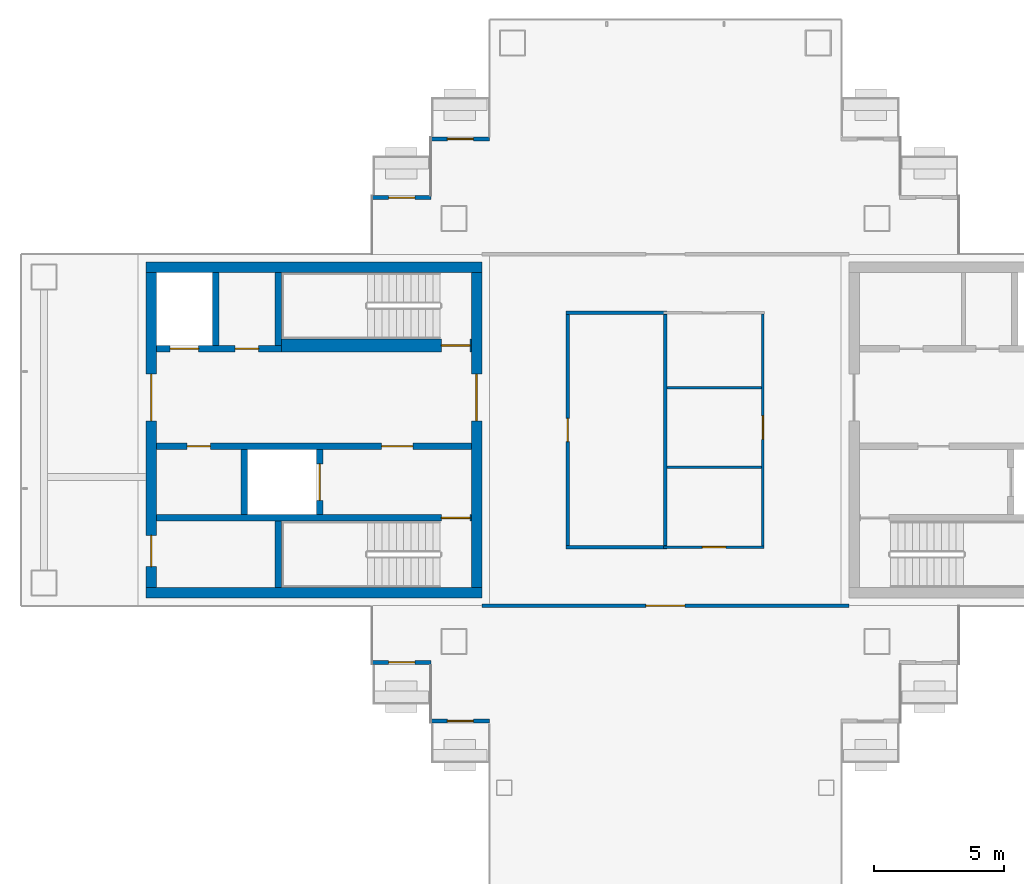
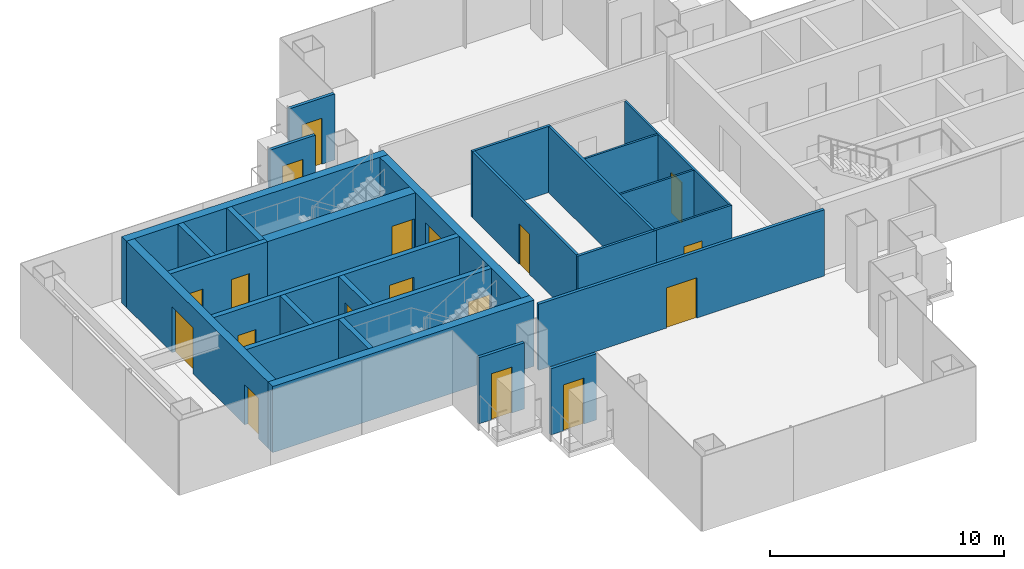
# One storey, part 9 of 17: 26 walls, 18 doors, 18 openings.
"""IFC4 building model written with IfcOpenShell, lengths in metres."""

from ifc_helpers import new_model, si_unit, direction, frame, frame_2d, origin, place, context, subcontext, project, spatial, rectangle, extrude, material, layer, layer_set, type_object, element, fill, save


model = new_model("IFC4")

# Units and contexts
model_context = context("Model", 3, precision=1e-05, world=origin(), true_north=direction((0.0, 1.0)))
body_context = subcontext(model_context, "Body", "Model", "MODEL_VIEW")
ifc_project = project(units=[si_unit("LENGTHUNIT", "METRE"), si_unit("AREAUNIT", "SQUARE_METRE"), si_unit("VOLUMEUNIT", "CUBIC_METRE"), si_unit("PLANEANGLEUNIT", "RADIAN"), si_unit("MASSUNIT", "GRAM", prefix="KILO")], contexts=[model_context])

# Site, building, storey
site_placement = place(None, origin())
site = spatial("IfcSite", under=ifc_project, at=site_placement, CompositionType="ELEMENT")
building_placement = place(site_placement, origin())
building = spatial("IfcBuilding", under=site, at=building_placement, Name="Shamsa Quay Exchange Towers", CompositionType="ELEMENT")
storey_placement = place(building_placement, frame((0.0, 0.0, 221.699951171875)))
storey = spatial("IfcBuildingStorey", under=building, at=storey_placement, Name="L53", CompositionType="ELEMENT", Elevation=221.699951171875)

# Wall, opening, door
ifc_material_1 = material(Name="Aluminium EN AW-6063 T6, black anodised, with black enamelled glass infill", Category="aluminium")
ifc_layer_1 = layer(ifc_material_1, 0.14990234375)
ifc_layer_set_1 = layer_set([ifc_layer_1], Name="BALCONY DOOR BAY WALL 150")
wall_type_1 = type_object("IfcWallType", Name="BALCONY DOOR BAY WALL 150", PredefinedType="SOLIDWALL", material=ifc_layer_set_1)
wall_1_placement = place(storey_placement, frame((-42.75, 11.175048828125, 0.0)))
wall_1 = element("IfcWall", 1, at=wall_1_placement, inside=storey, type_object=wall_type_1, Name="Door bay T1-PKWN L53", PredefinedType="SOLIDWALL", context=body_context, shape_type="SweptSolid", body=[
    extrude(rectangle(XDim=2.25, YDim=0.14990234375, at=frame_2d((1.125, 0.0))), origin(), (0.0, 0.0, 1.0), 3.449951171875),
])
opening_1_placement = place(wall_1_placement, frame((0.625, 0.0, 0.0)))
opening_1 = element("IfcOpeningElement", 2, at=opening_1_placement, cuts=wall_1, Name="Opening XD357", PredefinedType="OPENING", context=body_context, shape_type="SweptSolid", body=[
    extrude(rectangle(XDim=1.0, YDim=2.39990234375, at=frame_2d((0.5, 1.199951171875))), frame((0.0, 0.0849609375, 0.0), z_axis=(0.0, -1.0, 0.0), x_axis=(1.0, 0.0, 0.0)), (0.0, 0.0, 1.0), 0.169921875),
])
ifc_material_2 = material(Name="Aluminium EN AW-6063 T6, black anodised, with laminated glass leaf", Category="aluminium")
door_type_1 = type_object("IfcDoorType", Name="BALCONY DOOR 1000x2400", OperationType="SINGLE_SWING_LEFT", PredefinedType="DOOR", material=ifc_material_2)
door_1_placement = place(opening_1_placement, origin())
door_1 = element("IfcDoor", 3, at=door_1_placement, inside=storey, type_object=door_type_1, Name="Balcony door T1-PKWN L53", OperationType="SINGLE_SWING_LEFT", OverallHeight=2.39990234375, OverallWidth=1.0, PredefinedType="DOOR", context=body_context, shape_type="SweptSolid", body=[
    extrude(rectangle(XDim=1.0, YDim=2.39990234375, at=frame_2d((0.5, 1.199951171875))), frame((0.0, 0.02490234375, 0.0), z_axis=(0.0, -1.0, 0.0), x_axis=(1.0, 0.0, 0.0)), (0.0, 0.0, 1.0), 0.050048828125),
])
fill(opening_1, door_1)

wall_2_placement = place(storey_placement, frame((-45.0, 8.925048828125, 0.0)))
wall_2 = element("IfcWall", 4, at=wall_2_placement, inside=storey, type_object=wall_type_1, Name="Door bay T1-PKWN L53", PredefinedType="SOLIDWALL", context=body_context, shape_type="SweptSolid", body=[
    extrude(rectangle(XDim=2.25, YDim=0.14990234375, at=frame_2d((1.125, 0.0))), origin(), (0.0, 0.0, 1.0), 3.449951171875),
])
opening_2_placement = place(wall_2_placement, frame((0.625, 0.0, 0.0)))
opening_2 = element("IfcOpeningElement", 5, at=opening_2_placement, cuts=wall_2, Name="Opening XD358", PredefinedType="OPENING", context=body_context, shape_type="SweptSolid", body=[
    extrude(rectangle(XDim=1.0, YDim=2.39990234375, at=frame_2d((0.5, 1.199951171875))), frame((0.0, 0.0849609375, 0.0), z_axis=(0.0, -1.0, 0.0), x_axis=(1.0, 0.0, 0.0)), (0.0, 0.0, 1.0), 0.169921875),
])
door_2_placement = place(opening_2_placement, origin())
door_2 = element("IfcDoor", 6, at=door_2_placement, inside=storey, type_object=door_type_1, Name="Balcony door T1-PKWN L53", OperationType="SINGLE_SWING_RIGHT", OverallHeight=2.39990234375, OverallWidth=1.0, PredefinedType="DOOR", context=body_context, shape_type="SweptSolid", body=[
    extrude(rectangle(XDim=1.0, YDim=2.39990234375, at=frame_2d((0.5, 1.199951171875))), frame((0.0, 0.02490234375, 0.0), z_axis=(0.0, -1.0, 0.0), x_axis=(1.0, 0.0, 0.0)), (0.0, 0.0, 1.0), 0.050048828125),
])
fill(opening_2, door_2)

wall_3_placement = place(storey_placement, frame((-42.75, -8.925048828125, 0.0), z_axis=(0.0, 0.0, 1.0), x_axis=(-1.0, 0.0, 0.0)))
wall_3 = element("IfcWall", 7, at=wall_3_placement, inside=storey, type_object=wall_type_1, Name="Door bay T1-PKWS L53", PredefinedType="SOLIDWALL", context=body_context, shape_type="SweptSolid", body=[
    extrude(rectangle(XDim=2.25, YDim=0.14990234375, at=frame_2d((1.125, 0.0))), origin(), (0.0, 0.0, 1.0), 3.449951171875),
])
opening_3_placement = place(wall_3_placement, frame((0.625, 0.0, 0.0)))
opening_3 = element("IfcOpeningElement", 8, at=opening_3_placement, cuts=wall_3, Name="Opening XD359", PredefinedType="OPENING", context=body_context, shape_type="SweptSolid", body=[
    extrude(rectangle(XDim=1.0, YDim=2.39990234375, at=frame_2d((0.5, 1.199951171875))), frame((0.0, 0.0849609375, 0.0), z_axis=(0.0, -1.0, 0.0), x_axis=(1.0, 0.0, 0.0)), (0.0, 0.0, 1.0), 0.169921875),
])
door_3_placement = place(opening_3_placement, origin())
door_3 = element("IfcDoor", 9, at=door_3_placement, inside=storey, type_object=door_type_1, Name="Balcony door T1-PKWS L53", OperationType="SINGLE_SWING_LEFT", OverallHeight=2.39990234375, OverallWidth=1.0, PredefinedType="DOOR", context=body_context, shape_type="SweptSolid", body=[
    extrude(rectangle(XDim=1.0, YDim=2.39990234375, at=frame_2d((0.5, 1.199951171875))), frame((0.0, 0.02490234375, 0.0), z_axis=(0.0, -1.0, 0.0), x_axis=(1.0, 0.0, 0.0)), (0.0, 0.0, 1.0), 0.050048828125),
])
fill(opening_3, door_3)

wall_4_placement = place(storey_placement, frame((-40.5, -11.175048828125, 0.0), z_axis=(0.0, 0.0, 1.0), x_axis=(-1.0, 0.0, 0.0)))
wall_4 = element("IfcWall", 10, at=wall_4_placement, inside=storey, type_object=wall_type_1, Name="Door bay T1-PKWS L53", PredefinedType="SOLIDWALL", context=body_context, shape_type="SweptSolid", body=[
    extrude(rectangle(XDim=2.25, YDim=0.14990234375, at=frame_2d((1.125, 0.0))), origin(), (0.0, 0.0, 1.0), 3.449951171875),
])
opening_4_placement = place(wall_4_placement, frame((0.625, 0.0, 0.0)))
opening_4 = element("IfcOpeningElement", 11, at=opening_4_placement, cuts=wall_4, Name="Opening XD360", PredefinedType="OPENING", context=body_context, shape_type="SweptSolid", body=[
    extrude(rectangle(XDim=1.0, YDim=2.39990234375, at=frame_2d((0.5, 1.199951171875))), frame((0.0, 0.0849609375, 0.0), z_axis=(0.0, -1.0, 0.0), x_axis=(1.0, 0.0, 0.0)), (0.0, 0.0, 1.0), 0.169921875),
])
door_4_placement = place(opening_4_placement, origin())
door_4 = element("IfcDoor", 12, at=door_4_placement, inside=storey, type_object=door_type_1, Name="Balcony door T1-PKWS L53", OperationType="SINGLE_SWING_RIGHT", OverallHeight=2.39990234375, OverallWidth=1.0, PredefinedType="DOOR", context=body_context, shape_type="SweptSolid", body=[
    extrude(rectangle(XDim=1.0, YDim=2.39990234375, at=frame_2d((0.5, 1.199951171875))), frame((0.0, 0.02490234375, 0.0), z_axis=(0.0, -1.0, 0.0), x_axis=(1.0, 0.0, 0.0)), (0.0, 0.0, 1.0), 0.050048828125),
])
fill(opening_4, door_4)

# Walls
ifc_material_3 = material(Name="Concrete C60/75", Category="concrete")
ifc_layer_2 = layer(ifc_material_3, 0.39990234375)
ifc_layer_set_2 = layer_set([ifc_layer_2], Name="CORE WALL 400 C60/75")
wall_type_2 = type_object("IfcWallType", Name="CORE WALL 400 C60/75", PredefinedType="SHEAR", material=ifc_layer_set_2)
for number, where, z_axis, x_axis, name in (
    (13, (-40.800048828125, -6.25, 0.0), (0.0, 0.0, 1.0), (-1.0, 0.0, 0.0), "Core wall T1B-R24-PS"),
    (14, (-40.800048828125, 6.25, 0.0), (0.0, 0.0, 1.0), (-1.0, 0.0, 0.0), "Core wall T1B-R24-PN"),
):
    element("IfcWall", number, at=place(storey_placement, frame(where, z_axis=z_axis, x_axis=x_axis)), inside=storey, type_object=wall_type_2, Name=name, PredefinedType="SHEAR", context=body_context, shape_type="SweptSolid", body=[
        extrude(rectangle(XDim=12.89990234375, YDim=0.39990234375, at=frame_2d((6.449951171875, 0.0))), origin(), (0.0, 0.0, 1.0), 3.449951171875),
    ])

# Wall, opening, door
wall_5_placement = place(storey_placement, frame((-41.0, -6.050048828125, 0.0), z_axis=(0.0, 0.0, 1.0), x_axis=(0.0, 1.0, 0.0)))
wall_5 = element("IfcWall", 15, at=wall_5_placement, inside=storey, type_object=wall_type_2, Name="Core wall T1B-R24-PF", PredefinedType="SHEAR", context=body_context, shape_type="SweptSolid", body=[
    extrude(rectangle(XDim=12.10009765625, YDim=0.39990234375, at=frame_2d((6.050048828125, 0.0))), origin(), (0.0, 0.0, 1.0), 3.449951171875),
])
opening_5_placement = place(wall_5_placement, frame((6.39990234375, 0.0, 0.0)))
opening_5 = element("IfcOpeningElement", 16, at=opening_5_placement, cuts=wall_5, Name="Opening T1B-R24-LBD01", PredefinedType="OPENING", context=body_context, shape_type="SweptSolid", body=[
    extrude(rectangle(XDim=1.800048828125, YDim=2.39990234375, at=frame_2d((0.89990234375, 1.199951171875))), frame((0.0, 0.2099609375, 0.0), z_axis=(0.0, -1.0, 0.0), x_axis=(1.0, 0.0, 0.0)), (0.0, 0.0, 1.0), 0.419921875),
])
ifc_material_4 = material(Name="Steel, fire rated", Category="steel")
door_type_2 = type_object("IfcDoorType", Name="LIFT LOBBY DOOR PAIR 1800", OperationType="DOUBLE_DOOR_SINGLE_SWING", PredefinedType="DOOR", material=ifc_material_4)
door_5_placement = place(opening_5_placement, origin())
door_5 = element("IfcDoor", 17, at=door_5_placement, inside=storey, type_object=door_type_2, Name="T1B-R24-LBD01", OperationType="DOUBLE_DOOR_SINGLE_SWING", OverallHeight=2.39990234375, OverallWidth=1.800048828125, PredefinedType="DOOR", context=body_context, shape_type="SweptSolid", body=[
    extrude(rectangle(XDim=1.800048828125, YDim=2.39990234375, at=frame_2d((0.89990234375, 1.199951171875))), frame((0.0, 0.02490234375, 0.0), z_axis=(0.0, -1.0, 0.0), x_axis=(1.0, 0.0, 0.0)), (0.0, 0.0, 1.0), 0.050048828125),
])
fill(opening_5, door_5)

# Wall, openings, doors
wall_6_placement = place(storey_placement, frame((-53.5, -6.050048828125, 0.0), z_axis=(0.0, 0.0, 1.0), x_axis=(0.0, 1.0, 0.0)))
wall_6 = element("IfcWall", 18, at=wall_6_placement, inside=storey, type_object=wall_type_2, Name="Core wall T1B-R24-PB", PredefinedType="SHEAR", context=body_context, shape_type="SweptSolid", body=[
    extrude(rectangle(XDim=12.10009765625, YDim=0.39990234375, at=frame_2d((6.050048828125, 0.0))), origin(), (0.0, 0.0, 1.0), 3.449951171875),
])
opening_6_placement = place(wall_6_placement, frame((0.800048828125, 0.0, 0.0)))
opening_6 = element("IfcOpeningElement", 19, at=opening_6_placement, cuts=wall_6, Name="Opening T1B-R24-RD02", PredefinedType="OPENING", context=body_context, shape_type="SweptSolid", body=[
    extrude(rectangle(XDim=1.199951171875, YDim=2.10009765625, at=frame_2d((0.60009765625, 1.050048828125))), frame((0.0, 0.2099609375, 0.0), z_axis=(0.0, -1.0, 0.0), x_axis=(1.0, 0.0, 0.0)), (0.0, 0.0, 1.0), 0.419921875),
])
opening_7_placement = place(wall_6_placement, frame((6.39990234375, 0.0, 0.0)))
opening_7 = element("IfcOpeningElement", 20, at=opening_7_placement, cuts=wall_6, Name="Opening T1B-R24-LBD03", PredefinedType="OPENING", context=body_context, shape_type="SweptSolid", body=[
    extrude(rectangle(XDim=1.800048828125, YDim=2.39990234375, at=frame_2d((0.89990234375, 1.199951171875))), frame((0.0, 0.2099609375, 0.0), z_axis=(0.0, -1.0, 0.0), x_axis=(1.0, 0.0, 0.0)), (0.0, 0.0, 1.0), 0.419921875),
])
door_6_placement = place(opening_7_placement, origin())
door_6 = element("IfcDoor", 21, at=door_6_placement, inside=storey, type_object=door_type_2, Name="T1B-R24-LBD03", OperationType="DOUBLE_DOOR_SINGLE_SWING", OverallHeight=2.39990234375, OverallWidth=1.800048828125, PredefinedType="DOOR", context=body_context, shape_type="SweptSolid", body=[
    extrude(rectangle(XDim=1.800048828125, YDim=2.39990234375, at=frame_2d((0.89990234375, 1.199951171875))), frame((0.0, 0.02490234375, 0.0), z_axis=(0.0, -1.0, 0.0), x_axis=(1.0, 0.0, 0.0)), (0.0, 0.0, 1.0), 0.050048828125),
])
fill(opening_7, door_6)
door_type_3 = type_object("IfcDoorType", Name="RISER ACCESS DOOR 1200", OperationType="SINGLE_SWING_LEFT", PredefinedType="DOOR", material=ifc_material_4)
door_7_placement = place(opening_6_placement, origin())
door_7 = element("IfcDoor", 22, at=door_7_placement, inside=storey, type_object=door_type_3, Name="T1B-R24-RD02", OperationType="SINGLE_SWING_LEFT", OverallHeight=2.10009765625, OverallWidth=1.199951171875, PredefinedType="DOOR", context=body_context, shape_type="SweptSolid", body=[
    extrude(rectangle(XDim=1.199951171875, YDim=2.10009765625, at=frame_2d((0.60009765625, 1.050048828125))), frame((0.0, 0.02490234375, 0.0), z_axis=(0.0, -1.0, 0.0), x_axis=(1.0, 0.0, 0.0)), (0.0, 0.0, 1.0), 0.050048828125),
])
fill(opening_6, door_7)

# Wall, opening, door
ifc_material_5 = material(Name="Laminated fire-resisting glass in a metal frame", Category="glass")
ifc_layer_3 = layer(ifc_material_5, 0.125)
ifc_layer_set_3 = layer_set([ifc_layer_3], Name="Glazed partition 125 mm EI 60")
wall_type_3 = type_object("IfcWallType", Name="Glazed partition 125 mm EI 60", PredefinedType="PARTITIONING", material=ifc_layer_set_3)
wall_7_placement = place(storey_placement, frame((-37.5, 4.4375, 0.0), z_axis=(0.0, 0.0, 1.0), x_axis=(0.0, -1.0, 0.0)))
wall_7 = element("IfcWall", 23, at=wall_7_placement, inside=storey, type_object=wall_type_3, Name="Partition T1-R24-W01", PredefinedType="PARTITIONING", context=body_context, shape_type="SweptSolid", body=[
    extrude(rectangle(XDim=8.875, YDim=0.125, at=frame_2d((4.4375, 0.0))), origin(), (0.0, 0.0, 1.0), 3.449951171875),
])
opening_8_placement = place(wall_7_placement, frame((3.987548828125, 0.0, 0.0)))
opening_8 = element("IfcOpeningElement", 24, at=opening_8_placement, cuts=wall_7, Name="Opening T1-R24-D02", PredefinedType="OPENING", context=body_context, shape_type="SweptSolid", body=[
    extrude(rectangle(XDim=0.89990234375, YDim=2.10009765625, at=frame_2d((0.449951171875, 1.050048828125))), frame((0.0, 0.072509765625, 0.0), z_axis=(0.0, -1.0, 0.0), x_axis=(1.0, 0.0, 0.0)), (0.0, 0.0, 1.0), 0.14501953125),
])
ifc_material_6 = material(Name="Timber door leaf in a metal frame", Category="wood")
door_type_4 = type_object("IfcDoorType", Name="Door 900x2100 FD30S", OperationType="NOTDEFINED", PredefinedType="DOOR", material=ifc_material_6)
door_8_placement = place(opening_8_placement, origin())
door_8 = element("IfcDoor", 25, at=door_8_placement, inside=storey, type_object=door_type_4, Name="Door T1-R24-D02", OperationType="SINGLE_SWING_RIGHT", OverallHeight=2.10009765625, OverallWidth=0.89990234375, PredefinedType="DOOR", context=body_context, shape_type="SweptSolid", body=[
    extrude(rectangle(XDim=0.89990234375, YDim=2.10009765625, at=frame_2d((0.449951171875, 1.050048828125))), frame((0.0, 0.02490234375, 0.0), z_axis=(0.0, -1.0, 0.0), x_axis=(1.0, 0.0, 0.0)), (0.0, 0.0, 1.0), 0.050048828125),
])
fill(opening_8, door_8)

# Walls
wall_8_placement = place(storey_placement, frame((-37.5625, -4.5, 0.0)))
element("IfcWall", 26, at=wall_8_placement, inside=storey, type_object=wall_type_3, Name="Partition T1-R24-W02", PredefinedType="PARTITIONING", context=body_context, shape_type="SweptSolid", body=[
    extrude(rectangle(XDim=3.875, YDim=0.125, at=frame_2d((1.9375, 0.0))), origin(), (0.0, 0.0, 1.0), 3.449951171875),
])
wall_9_placement = place(storey_placement, frame((-33.6875, 4.5, 0.0), z_axis=(0.0, 0.0, 1.0), x_axis=(-1.0, 0.0, 0.0)))
element("IfcWall", 27, at=wall_9_placement, inside=storey, type_object=wall_type_3, Name="Partition T1-R24-W03", PredefinedType="PARTITIONING", context=body_context, shape_type="SweptSolid", body=[
    extrude(rectangle(XDim=3.875, YDim=0.125, at=frame_2d((1.9375, 0.0))), origin(), (0.0, 0.0, 1.0), 3.449951171875),
])
wall_10_placement = place(storey_placement, frame((-33.75, -4.4375, 0.0), z_axis=(0.0, 0.0, 1.0), x_axis=(0.0, 1.0, 0.0)))
element("IfcWall", 28, at=wall_10_placement, inside=storey, type_object=wall_type_3, Name="Partition T1-R24-W09", PredefinedType="PARTITIONING", context=body_context, shape_type="SweptSolid", body=[
    extrude(rectangle(XDim=8.875, YDim=0.125, at=frame_2d((4.4375, 0.0))), origin(), (0.0, 0.0, 1.0), 3.449951171875),
])

# Wall, opening, door
ifc_material_7 = material(Name="Gypsum board partition on metal studs")
ifc_layer_4 = layer(ifc_material_7, 0.10009765625)
ifc_layer_set_4 = layer_set([ifc_layer_4], Name="Partition 100 mm NOT RATED")
wall_type_4 = type_object("IfcWallType", Name="Partition 100 mm NOT RATED", PredefinedType="PARTITIONING", material=ifc_layer_set_4)
wall_11_placement = place(storey_placement, frame((-33.8125, -4.5, 0.0)))
wall_11 = element("IfcWall", 29, at=wall_11_placement, inside=storey, type_object=wall_type_4, Name="Partition T1-R24-W04", PredefinedType="PARTITIONING", context=body_context, shape_type="SweptSolid", body=[
    extrude(rectangle(XDim=3.862548828125, YDim=0.10009765625, at=frame_2d((1.93115234375, 0.0))), origin(), (0.0, 0.0, 1.0), 3.449951171875),
])
opening_9_placement = place(wall_11_placement, frame((1.487548828125, 0.0, 0.0)))
opening_9 = element("IfcOpeningElement", 30, at=opening_9_placement, cuts=wall_11, Name="Opening T1-R24-D03", PredefinedType="OPENING", context=body_context, shape_type="SweptSolid", body=[
    extrude(rectangle(XDim=0.89990234375, YDim=2.10009765625, at=frame_2d((0.449951171875, 1.050048828125))), frame((0.0, 0.06005859375, 0.0), z_axis=(0.0, -1.0, 0.0), x_axis=(1.0, 0.0, 0.0)), (0.0, 0.0, 1.0), 0.1201171875),
])
door_type_5 = type_object("IfcDoorType", Name="Door 900x2100 NOT RATED", OperationType="NOTDEFINED", PredefinedType="DOOR", material=ifc_material_6)
door_9_placement = place(opening_9_placement, origin())
door_9 = element("IfcDoor", 31, at=door_9_placement, inside=storey, type_object=door_type_5, Name="Door T1-R24-D03", OperationType="SINGLE_SWING_LEFT", OverallHeight=2.10009765625, OverallWidth=0.89990234375, PredefinedType="DOOR", context=body_context, shape_type="SweptSolid", body=[
    extrude(rectangle(XDim=0.89990234375, YDim=2.10009765625, at=frame_2d((0.449951171875, 1.050048828125))), frame((0.0, 0.02490234375, 0.0), z_axis=(0.0, -1.0, 0.0), x_axis=(1.0, 0.0, 0.0)), (0.0, 0.0, 1.0), 0.050048828125),
])
fill(opening_9, door_9)

wall_12_placement = place(storey_placement, frame((-30.0, -4.449951171875, 0.0), z_axis=(0.0, 0.0, 1.0), x_axis=(0.0, 1.0, 0.0)))
wall_12 = element("IfcWall", 32, at=wall_12_placement, inside=storey, type_object=wall_type_4, Name="Partition T1-R24-W05", PredefinedType="PARTITIONING", context=body_context, shape_type="SweptSolid", body=[
    extrude(rectangle(XDim=8.89990234375, YDim=0.10009765625, at=frame_2d((4.449951171875, 0.0))), origin(), (0.0, 0.0, 1.0), 3.449951171875),
])
opening_10_placement = place(wall_12_placement, frame((4.09375, 0.0, 0.0)))
opening_10 = element("IfcOpeningElement", 33, at=opening_10_placement, cuts=wall_12, Name="Opening T1-R24-D04", PredefinedType="OPENING", context=body_context, shape_type="SweptSolid", body=[
    extrude(rectangle(XDim=0.89990234375, YDim=2.10009765625, at=frame_2d((0.449951171875, 1.050048828125))), frame((0.0, 0.06005859375, 0.0), z_axis=(0.0, -1.0, 0.0), x_axis=(1.0, 0.0, 0.0)), (0.0, 0.0, 1.0), 0.1201171875),
])
door_10_placement = place(opening_10_placement, origin())
door_10 = element("IfcDoor", 34, at=door_10_placement, inside=storey, type_object=door_type_5, Name="Door T1-R24-D04", OperationType="SINGLE_SWING_RIGHT", OverallHeight=2.10009765625, OverallWidth=0.89990234375, PredefinedType="DOOR", context=body_context, shape_type="SweptSolid", body=[
    extrude(rectangle(XDim=0.89990234375, YDim=2.10009765625, at=frame_2d((0.449951171875, 1.050048828125))), frame((0.0, 0.02490234375, 0.0), z_axis=(0.0, -1.0, 0.0), x_axis=(1.0, 0.0, 0.0)), (0.0, 0.0, 1.0), 0.050048828125),
])
fill(opening_10, door_10)

# Walls
for number, where, z_axis, x_axis, name in (
    (35, (-30.050048828125, -1.4375, 0.0), (0.0, 0.0, 1.0), (-1.0, 0.0, 0.0), "Partition T1-R24-W10"),
    (36, (-30.050048828125, 1.625, 0.0), (0.0, 0.0, 1.0), (-1.0, 0.0, 0.0), "Partition T1-R24-W11"),
):
    element("IfcWall", number, at=place(storey_placement, frame(where, z_axis=z_axis, x_axis=x_axis)), inside=storey, type_object=wall_type_4, Name=name, PredefinedType="PARTITIONING", context=body_context, shape_type="SweptSolid", body=[
        extrude(rectangle(XDim=3.637451171875, YDim=0.10009765625, at=frame_2d((1.81884765625, 0.0))), origin(), (0.0, 0.0, 1.0), 3.449951171875),
    ])

# Wall, opening, door
ifc_layer_5 = layer(ifc_material_7, 0.14990234375)
ifc_layer_set_5 = layer_set([ifc_layer_5], Name="Partition 150 mm EI 60")
wall_type_5 = type_object("IfcWallType", Name="Partition 150 mm EI 60", PredefinedType="PARTITIONING", material=ifc_layer_set_5)
wall_13_placement = place(storey_placement, frame((-26.699951171875, -6.75, 0.0), z_axis=(0.0, 0.0, 1.0), x_axis=(-1.0, 0.0, 0.0)))
wall_13 = element("IfcWall", 37, at=wall_13_placement, inside=storey, type_object=wall_type_5, Name="Partition T1-R24-W08", PredefinedType="PARTITIONING", context=body_context, shape_type="SweptSolid", body=[
    extrude(rectangle(XDim=14.10009765625, YDim=0.14990234375, at=frame_2d((7.050048828125, 0.0))), origin(), (0.0, 0.0, 1.0), 3.449951171875),
])
opening_11_placement = place(wall_13_placement, frame((6.300048828125, 0.0, 0.0)))
opening_11 = element("IfcOpeningElement", 38, at=opening_11_placement, cuts=wall_13, Name="Opening T1-R24-D06", PredefinedType="OPENING", context=body_context, shape_type="SweptSolid", body=[
    extrude(rectangle(XDim=1.5, YDim=2.10009765625, at=frame_2d((0.75, 1.050048828125))), frame((0.0, 0.0849609375, 0.0), z_axis=(0.0, -1.0, 0.0), x_axis=(1.0, 0.0, 0.0)), (0.0, 0.0, 1.0), 0.169921875),
])
door_type_6 = type_object("IfcDoorType", Name="Door 1500x2100 FD30S pair", OperationType="NOTDEFINED", PredefinedType="DOOR", material=ifc_material_6)
door_11_placement = place(opening_11_placement, origin())
door_11 = element("IfcDoor", 39, at=door_11_placement, inside=storey, type_object=door_type_6, Name="Door T1-R24-D06", OperationType="DOUBLE_DOOR_SINGLE_SWING", OverallHeight=2.10009765625, OverallWidth=1.5, PredefinedType="DOOR", context=body_context, shape_type="SweptSolid", body=[
    extrude(rectangle(XDim=1.5, YDim=2.10009765625, at=frame_2d((0.75, 1.050048828125))), frame((0.0, 0.02490234375, 0.0), z_axis=(0.0, -1.0, 0.0), x_axis=(1.0, 0.0, 0.0)), (0.0, 0.0, 1.0), 0.050048828125),
])
fill(opening_11, door_11)

ifc_material_8 = material(Name="Concrete C50/60", Category="concrete")
ifc_layer_6 = layer(ifc_material_8, 0.25)
ifc_layer_set_6 = layer_set([ifc_layer_6], Name="SHAFT WALL 250 C50/60")
wall_type_6 = type_object("IfcWallType", Name="SHAFT WALL 250 C50/60", PredefinedType="SHEAR", material=ifc_layer_set_6)
wall_14_placement = place(storey_placement, frame((-41.199951171875, -3.375, 0.0), z_axis=(0.0, 0.0, 1.0), x_axis=(-1.0, 0.0, 0.0)))
wall_14 = element("IfcWall", 40, at=wall_14_placement, inside=storey, type_object=wall_type_6, Name="Shaft wall T1B-R24-STL", PredefinedType="SHEAR", context=body_context, shape_type="SweptSolid", body=[
    extrude(rectangle(XDim=12.10009765625, YDim=0.25, at=frame_2d((6.050048828125, 0.0))), origin(), (0.0, 0.0, 1.0), 3.449951171875),
])
opening_12_placement = place(wall_14_placement, frame((0.050048828125, 0.0, 0.0)))
opening_12 = element("IfcOpeningElement", 41, at=opening_12_placement, cuts=wall_14, Name="Opening T1B-R24-SD04", PredefinedType="OPENING", context=body_context, shape_type="SweptSolid", body=[
    extrude(rectangle(XDim=1.10009765625, YDim=2.10009765625, at=frame_2d((0.550048828125, 1.050048828125))), frame((0.0, 0.135009765625, 0.0), z_axis=(0.0, -1.0, 0.0), x_axis=(1.0, 0.0, 0.0)), (0.0, 0.0, 1.0), 0.27001953125),
])
door_type_7 = type_object("IfcDoorType", Name="STAIR DOOR 1100", OperationType="SINGLE_SWING_LEFT", PredefinedType="DOOR", material=ifc_material_4)
door_12_placement = place(opening_12_placement, origin())
door_12 = element("IfcDoor", 42, at=door_12_placement, inside=storey, type_object=door_type_7, Name="T1B-R24-SD04", OperationType="SINGLE_SWING_LEFT", OverallHeight=2.10009765625, OverallWidth=1.10009765625, PredefinedType="DOOR", context=body_context, shape_type="SweptSolid", body=[
    extrude(rectangle(XDim=1.10009765625, YDim=2.10009765625, at=frame_2d((0.550048828125, 1.050048828125))), frame((0.0, 0.02490234375, 0.0), z_axis=(0.0, -1.0, 0.0), x_axis=(1.0, 0.0, 0.0)), (0.0, 0.0, 1.0), 0.050048828125),
])
fill(opening_12, door_12)

# Wall
wall_15_placement = place(storey_placement, frame((-48.625, -6.050048828125, 0.0), z_axis=(0.0, 0.0, 1.0), x_axis=(0.0, 1.0, 0.0)))
element("IfcWall", 43, at=wall_15_placement, inside=storey, type_object=wall_type_6, Name="Shaft wall T1B-R24-STF", PredefinedType="SHEAR", context=body_context, shape_type="SweptSolid", body=[
    extrude(rectangle(XDim=2.550048828125, YDim=0.25, at=frame_2d((1.27490234375, 0.0))), origin(), (0.0, 0.0, 1.0), 3.449951171875),
])

# Wall, openings, doors
wall_16_placement = place(storey_placement, frame((-41.199951171875, -0.625, 0.0), z_axis=(0.0, 0.0, 1.0), x_axis=(-1.0, 0.0, 0.0)))
wall_16 = element("IfcWall", 44, at=wall_16_placement, inside=storey, type_object=wall_type_6, Name="Shaft wall T1B-R24-B", PredefinedType="SHEAR", context=body_context, shape_type="SweptSolid", body=[
    extrude(rectangle(XDim=12.10009765625, YDim=0.25, at=frame_2d((6.050048828125, 0.0))), origin(), (0.0, 0.0, 1.0), 3.449951171875),
])
opening_13_placement = place(wall_16_placement, frame((2.25, 0.0, 0.0)))
opening_13 = element("IfcOpeningElement", 45, at=opening_13_placement, cuts=wall_16, Name="Opening T1B-R24-FD05", PredefinedType="OPENING", context=body_context, shape_type="SweptSolid", body=[
    extrude(rectangle(XDim=1.199951171875, YDim=2.10009765625, at=frame_2d((0.60009765625, 1.050048828125))), frame((0.0, 0.135009765625, 0.0), z_axis=(0.0, -1.0, 0.0), x_axis=(1.0, 0.0, 0.0)), (0.0, 0.0, 1.0), 0.27001953125),
])
opening_14_placement = place(wall_16_placement, frame((10.02490234375, 0.0, 0.0)))
opening_14 = element("IfcOpeningElement", 46, at=opening_14_placement, cuts=wall_16, Name="Opening T1B-R24-SV06", PredefinedType="OPENING", context=body_context, shape_type="SweptSolid", body=[
    extrude(rectangle(XDim=0.89990234375, YDim=2.10009765625, at=frame_2d((0.449951171875, 1.050048828125))), frame((0.0, 0.135009765625, 0.0), z_axis=(0.0, -1.0, 0.0), x_axis=(1.0, 0.0, 0.0)), (0.0, 0.0, 1.0), 0.27001953125),
])
door_type_8 = type_object("IfcDoorType", Name="FIRE SERVICE LOBBY DOOR 1200", OperationType="SINGLE_SWING_LEFT", PredefinedType="DOOR", material=ifc_material_4)
door_13_placement = place(opening_13_placement, origin())
door_13 = element("IfcDoor", 47, at=door_13_placement, inside=storey, type_object=door_type_8, Name="T1B-R24-FD05", OperationType="SINGLE_SWING_LEFT", OverallHeight=2.10009765625, OverallWidth=1.199951171875, PredefinedType="DOOR", context=body_context, shape_type="SweptSolid", body=[
    extrude(rectangle(XDim=1.199951171875, YDim=2.10009765625, at=frame_2d((0.60009765625, 1.050048828125))), frame((0.0, 0.02490234375, 0.0), z_axis=(0.0, -1.0, 0.0), x_axis=(1.0, 0.0, 0.0)), (0.0, 0.0, 1.0), 0.050048828125),
])
fill(opening_13, door_13)
door_type_9 = type_object("IfcDoorType", Name="SERVICE ROOM DOOR 900", OperationType="SINGLE_SWING_LEFT", PredefinedType="DOOR", material=ifc_material_4)
door_14_placement = place(opening_14_placement, origin())
door_14 = element("IfcDoor", 48, at=door_14_placement, inside=storey, type_object=door_type_9, Name="T1B-R24-SV06", OperationType="SINGLE_SWING_RIGHT", OverallHeight=2.10009765625, OverallWidth=0.89990234375, PredefinedType="DOOR", context=body_context, shape_type="SweptSolid", body=[
    extrude(rectangle(XDim=0.89990234375, YDim=2.10009765625, at=frame_2d((0.449951171875, 1.050048828125))), frame((0.0, 0.02490234375, 0.0), z_axis=(0.0, -1.0, 0.0), x_axis=(1.0, 0.0, 0.0)), (0.0, 0.0, 1.0), 0.050048828125),
])
fill(opening_14, door_14)

# Wall, opening, door
wall_17_placement = place(storey_placement, frame((-47.02490234375, -3.25, 0.0), z_axis=(0.0, 0.0, 1.0), x_axis=(0.0, 1.0, 0.0)))
wall_17 = element("IfcWall", 49, at=wall_17_placement, inside=storey, type_object=wall_type_6, Name="Shaft wall T1B-R24-FFF", PredefinedType="SHEAR", context=body_context, shape_type="SweptSolid", body=[
    extrude(rectangle(XDim=2.5, YDim=0.25, at=frame_2d((1.25, 0.0))), origin(), (0.0, 0.0, 1.0), 3.449951171875),
])
opening_15_placement = place(wall_17_placement, frame((0.550048828125, 0.0, 0.0)))
opening_15 = element("IfcOpeningElement", 50, at=opening_15_placement, cuts=wall_17, Name="Opening T1B-R24-LDG07", PredefinedType="OPENING", context=body_context, shape_type="SweptSolid", body=[
    extrude(rectangle(XDim=1.39990234375, YDim=2.39990234375, at=frame_2d((0.699951171875, 1.199951171875))), frame((0.0, 0.135009765625, 0.0), z_axis=(0.0, -1.0, 0.0), x_axis=(1.0, 0.0, 0.0)), (0.0, 0.0, 1.0), 0.27001953125),
])
door_type_10 = type_object("IfcDoorType", Name="GOODS LIFT LANDING DOOR 1400", OperationType="SLIDING_TO_LEFT", PredefinedType="DOOR", material=ifc_material_4)
door_15_placement = place(opening_15_placement, origin())
door_15 = element("IfcDoor", 51, at=door_15_placement, inside=storey, type_object=door_type_10, Name="T1B-R24-LDG07", OperationType="SLIDING_TO_LEFT", OverallHeight=2.39990234375, OverallWidth=1.39990234375, PredefinedType="DOOR", context=body_context, shape_type="SweptSolid", body=[
    extrude(rectangle(XDim=1.39990234375, YDim=2.39990234375, at=frame_2d((0.699951171875, 1.199951171875))), frame((0.0, 0.02490234375, 0.0), z_axis=(0.0, -1.0, 0.0), x_axis=(1.0, 0.0, 0.0)), (0.0, 0.0, 1.0), 0.050048828125),
])
fill(opening_15, door_15)

# Wall
wall_18_placement = place(storey_placement, frame((-49.925048828125, -3.25, 0.0), z_axis=(0.0, 0.0, 1.0), x_axis=(0.0, 1.0, 0.0)))
element("IfcWall", 52, at=wall_18_placement, inside=storey, type_object=wall_type_6, Name="Shaft wall T1B-R24-FFB", PredefinedType="SHEAR", context=body_context, shape_type="SweptSolid", body=[
    extrude(rectangle(XDim=2.5, YDim=0.25, at=frame_2d((1.25, 0.0))), origin(), (0.0, 0.0, 1.0), 3.449951171875),
])

# Wall, openings, doors
wall_19_placement = place(storey_placement, frame((-53.300048828125, 3.125, 0.0)))
wall_19 = element("IfcWall", 53, at=wall_19_placement, inside=storey, type_object=wall_type_6, Name="Shaft wall T1B-R24-N2", PredefinedType="SHEAR", context=body_context, shape_type="SweptSolid", body=[
    extrude(rectangle(XDim=4.800048828125, YDim=0.25, at=frame_2d((2.39990234375, 0.0))), origin(), (0.0, 0.0, 1.0), 3.449951171875),
])
opening_16_placement = place(wall_19_placement, frame((0.52490234375, 0.0, 0.0)))
opening_16 = element("IfcOpeningElement", 54, at=opening_16_placement, cuts=wall_19, Name="Opening T1B-R24-LD09", PredefinedType="OPENING", context=body_context, shape_type="SweptSolid", body=[
    extrude(rectangle(XDim=1.10009765625, YDim=2.10009765625, at=frame_2d((0.550048828125, 1.050048828125))), frame((0.0, 0.135009765625, 0.0), z_axis=(0.0, -1.0, 0.0), x_axis=(1.0, 0.0, 0.0)), (0.0, 0.0, 1.0), 0.27001953125),
])
opening_17_placement = place(wall_19_placement, frame((3.02490234375, 0.0, 0.0)))
opening_17 = element("IfcOpeningElement", 55, at=opening_17_placement, cuts=wall_19, Name="Opening T1B-R24-SV10", PredefinedType="OPENING", context=body_context, shape_type="SweptSolid", body=[
    extrude(rectangle(XDim=0.89990234375, YDim=2.10009765625, at=frame_2d((0.449951171875, 1.050048828125))), frame((0.0, 0.135009765625, 0.0), z_axis=(0.0, -1.0, 0.0), x_axis=(1.0, 0.0, 0.0)), (0.0, 0.0, 1.0), 0.27001953125),
])
door_type_11 = type_object("IfcDoorType", Name="LANDING DOOR 1100", OperationType="SLIDING_TO_LEFT", PredefinedType="DOOR", material=ifc_material_4)
door_16_placement = place(opening_16_placement, origin())
door_16 = element("IfcDoor", 56, at=door_16_placement, inside=storey, type_object=door_type_11, Name="T1B-R24-LD09", OperationType="SLIDING_TO_LEFT", OverallHeight=2.10009765625, OverallWidth=1.10009765625, PredefinedType="DOOR", context=body_context, shape_type="SweptSolid", body=[
    extrude(rectangle(XDim=1.10009765625, YDim=2.10009765625, at=frame_2d((0.550048828125, 1.050048828125))), frame((0.0, 0.02490234375, 0.0), z_axis=(0.0, -1.0, 0.0), x_axis=(1.0, 0.0, 0.0)), (0.0, 0.0, 1.0), 0.050048828125),
])
fill(opening_16, door_16)
door_17_placement = place(opening_17_placement, origin())
door_17 = element("IfcDoor", 57, at=door_17_placement, inside=storey, type_object=door_type_9, Name="T1B-R24-SV10", OperationType="SINGLE_SWING_RIGHT", OverallHeight=2.10009765625, OverallWidth=0.89990234375, PredefinedType="DOOR", context=body_context, shape_type="SweptSolid", body=[
    extrude(rectangle(XDim=0.89990234375, YDim=2.10009765625, at=frame_2d((0.449951171875, 1.050048828125))), frame((0.0, 0.02490234375, 0.0), z_axis=(0.0, -1.0, 0.0), x_axis=(1.0, 0.0, 0.0)), (0.0, 0.0, 1.0), 0.050048828125),
])
fill(opening_17, door_17)

# Walls
for number, where, z_axis, x_axis, name in (
    (58, (-48.625, 3.25, 0.0), (0.0, 0.0, 1.0), (0.0, 1.0, 0.0), "Shaft wall T1B-R24-STF2"),
    (59, (-51.02490234375, 3.25, 0.0), (0.0, 0.0, 1.0), (0.0, 1.0, 0.0), "Shaft wall T1B-R24-D0"),
):
    element("IfcWall", number, at=place(storey_placement, frame(where, z_axis=z_axis, x_axis=x_axis)), inside=storey, type_object=wall_type_6, Name=name, PredefinedType="SHEAR", context=body_context, shape_type="SweptSolid", body=[
        extrude(rectangle(XDim=2.800048828125, YDim=0.25, at=frame_2d((1.39990234375, 0.0))), origin(), (0.0, 0.0, 1.0), 3.449951171875),
    ])

# Wall, opening, door
ifc_layer_7 = layer(ifc_material_8, 0.5)
ifc_layer_set_7 = layer_set([ifc_layer_7], Name="SHAFT WALL 500 C50/60")
wall_type_7 = type_object("IfcWallType", Name="SHAFT WALL 500 C50/60", PredefinedType="SHEAR", material=ifc_layer_set_7)
wall_20_placement = place(storey_placement, frame((-48.5, 3.25, 0.0)))
wall_20 = element("IfcWall", 60, at=wall_20_placement, inside=storey, type_object=wall_type_7, Name="Shaft wall T1B-R24-N", PredefinedType="SHEAR", context=body_context, shape_type="SweptSolid", body=[
    extrude(rectangle(XDim=7.300048828125, YDim=0.5, at=frame_2d((3.64990234375, 0.0))), origin(), (0.0, 0.0, 1.0), 3.449951171875),
])
opening_18_placement = place(wall_20_placement, frame((6.14990234375, 0.0, 0.0)))
opening_18 = element("IfcOpeningElement", 61, at=opening_18_placement, cuts=wall_20, Name="Opening T1B-R24-SD08", PredefinedType="OPENING", context=body_context, shape_type="SweptSolid", body=[
    extrude(rectangle(XDim=1.10009765625, YDim=2.10009765625, at=frame_2d((0.550048828125, 1.050048828125))), frame((0.0, 0.260009765625, 0.0), z_axis=(0.0, -1.0, 0.0), x_axis=(1.0, 0.0, 0.0)), (0.0, 0.0, 1.0), 0.52001953125),
])
door_18_placement = place(opening_18_placement, origin())
door_18 = element("IfcDoor", 62, at=door_18_placement, inside=storey, type_object=door_type_7, Name="T1B-R24-SD08", OperationType="SINGLE_SWING_RIGHT", OverallHeight=2.10009765625, OverallWidth=1.10009765625, PredefinedType="DOOR", context=body_context, shape_type="SweptSolid", body=[
    extrude(rectangle(XDim=1.10009765625, YDim=2.10009765625, at=frame_2d((0.550048828125, 1.050048828125))), frame((0.0, 0.02490234375, 0.0), z_axis=(0.0, -1.0, 0.0), x_axis=(1.0, 0.0, 0.0)), (0.0, 0.0, 1.0), 0.050048828125),
])
fill(opening_18, door_18)

save(model, "model.ifc")
